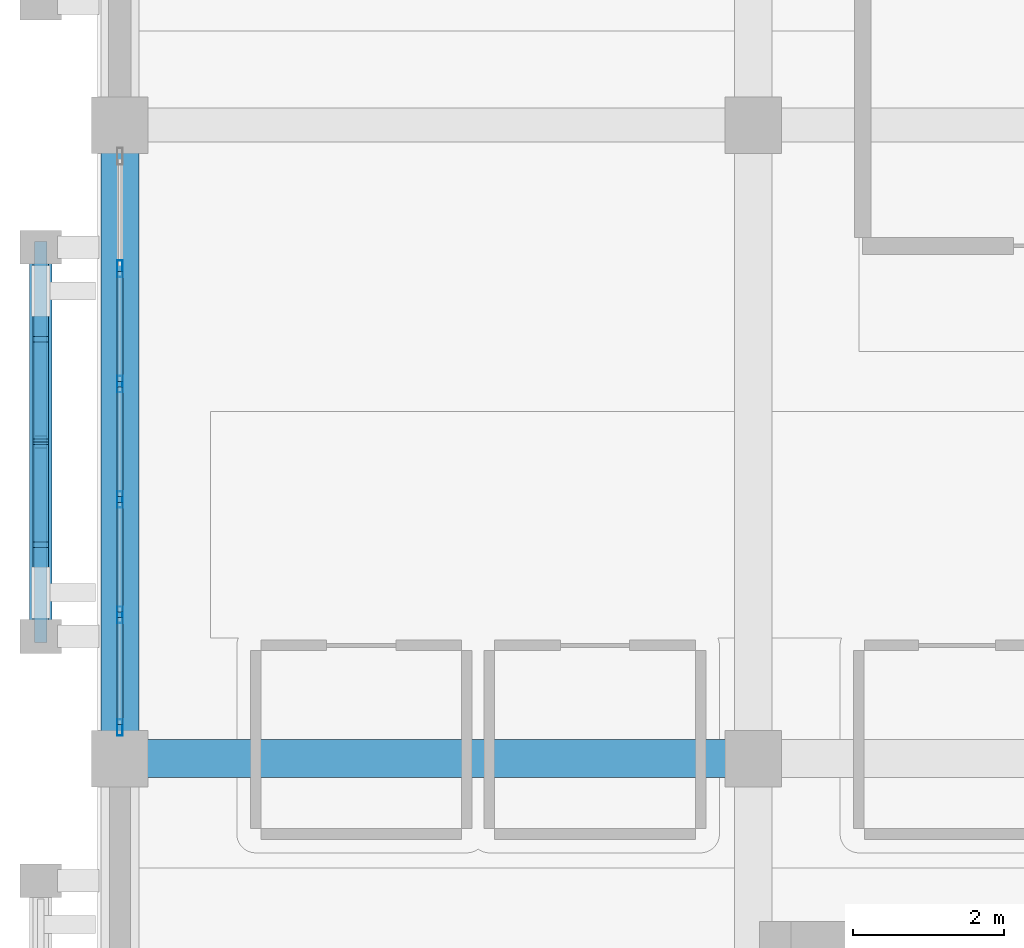
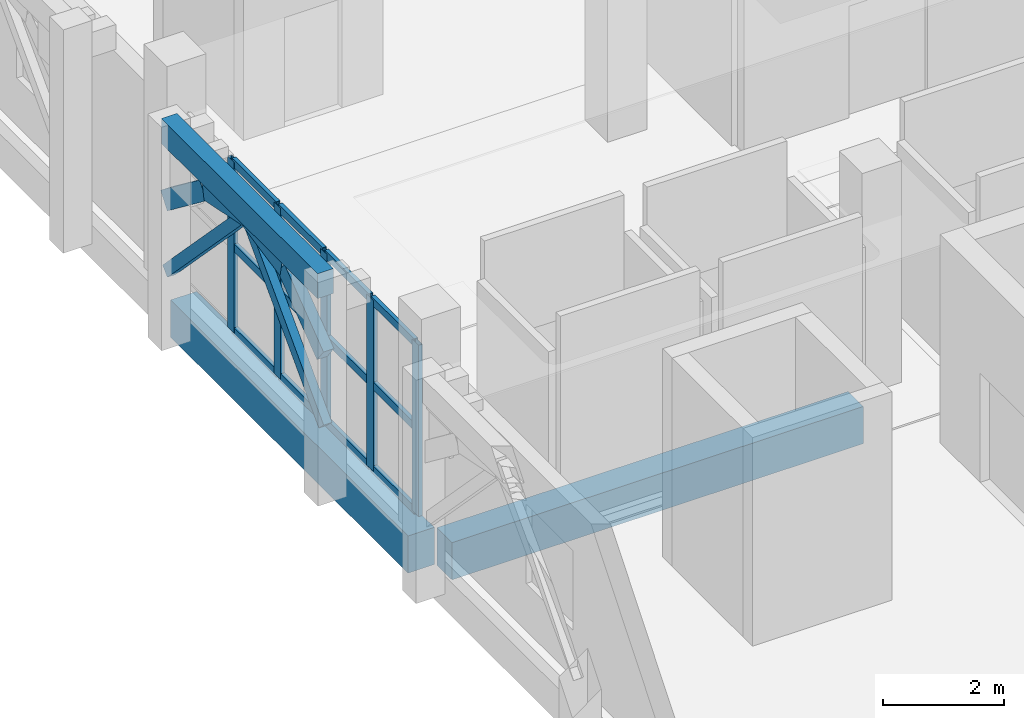
# One storey, part 7 of 34: 23 members, 3 beams, 1 element without a shape of its own.
"""IFC4 building model written with IfcOpenShell, lengths in metres."""

from ifc_helpers import new_model, si_unit, direction, frame, origin, origin_2d, place, context, subcontext, project, spatial, rectangle, hollow_rectangle, extrude, material, layer, layer_set, material_profile, profile_set, type_object, element, aggregate, save


model = new_model("IFC4")

# Units and contexts
model_context = context("Model", 3, precision=1e-05, world=origin(), true_north=direction((0.0, 1.0)))
body_context = subcontext(model_context, "Body", "Model", "MODEL_VIEW")
ifc_project = project(units=[si_unit("LENGTHUNIT", "METRE"), si_unit("AREAUNIT", "SQUARE_METRE"), si_unit("VOLUMEUNIT", "CUBIC_METRE"), si_unit("PLANEANGLEUNIT", "RADIAN"), si_unit("MASSUNIT", "GRAM", prefix="KILO")], contexts=[model_context])

# Site, building, storey
site_placement = place(None, origin())
site = spatial("IfcSite", under=ifc_project, at=site_placement, CompositionType="ELEMENT")
building_placement = place(site_placement, origin())
building = spatial("IfcBuilding", under=site, at=building_placement, Name="Xazarin Passage Department Store", CompositionType="ELEMENT")
storey_placement = place(building_placement, frame((0.0, 0.0, 18.89990234375)))
storey = spatial("IfcBuildingStorey", under=building, at=storey_placement, Name="L04", CompositionType="ELEMENT", Elevation=18.89990234375)

# Curtain wall, members
ifc_material_1 = material(Name="Bronze anodised aluminium", Category="aluminium")
ifc_layer = layer(ifc_material_1, 0.199951171875)
ifc_layer_set = layer_set([ifc_layer], Name="Bronze anodised aluminium")
curtain_wall_type = type_object("IfcCurtainWallType", Name="ARC-CW-VIT2", PredefinedType="NOTDEFINED", material=ifc_layer_set)
curtain_wall_placement = place(storey_placement, origin())
curtain_wall = element("IfcCurtainWall", 1, at=curtain_wall_placement, inside=storey, type_object=curtain_wall_type, Name="L04 V1 Curtain Wall 073", PredefinedType="NOTDEFINED")
ifc_material_profile_1 = material_profile(ifc_material_1, hollow_rectangle(XDim=0.074951171875, YDim=0.219970703125, WallThickness=0.0048828125, at=origin_2d()), Name="ALU 75x220")
ifc_profile_set_1 = profile_set([ifc_material_profile_1], Name="Bronze anodised aluminium")
member_type_1 = type_object("IfcMemberType", Name="ARC-CWM-75x220", PredefinedType="MULLION", material=ifc_profile_set_1)
member_1_placement = place(storey_placement, frame((0.0, 85.21240234375, 0.0), z_axis=(0.0, 0.0, 1.0), x_axis=(-1.0, 0.0, 0.0)))
member_1 = element("IfcMember", 2, at=member_1_placement, type_object=member_type_1, Name="CW2 mullion 1", PredefinedType="MULLION", context=body_context, shape_type="SweptSolid", body=[
    extrude(hollow_rectangle(XDim=0.074951171875, YDim=0.219970703125, WallThickness=0.0048828125, at=origin_2d()), origin(), (0.0, 0.0, 1.0), 3.4501953125),
])
member_2_placement = place(storey_placement, frame((0.0, 86.705078125, 0.0), z_axis=(0.0, 0.0, 1.0), x_axis=(-1.0, 0.0, 0.0)))
member_2 = element("IfcMember", 3, at=member_2_placement, type_object=member_type_1, Name="CW2 mullion 2", PredefinedType="MULLION", context=body_context, shape_type="SweptSolid", body=[
    extrude(hollow_rectangle(XDim=0.074951171875, YDim=0.219970703125, WallThickness=0.0048828125, at=origin_2d()), origin(), (0.0, 0.0, 1.0), 3.4501953125),
])
member_3_placement = place(storey_placement, frame((0.0, 88.235107421875, 0.0), z_axis=(0.0, 0.0, 1.0), x_axis=(-1.0, 0.0, 0.0)))
member_3 = element("IfcMember", 4, at=member_3_placement, type_object=member_type_1, Name="CW2 mullion 3", PredefinedType="MULLION", context=body_context, shape_type="SweptSolid", body=[
    extrude(hollow_rectangle(XDim=0.074951171875, YDim=0.219970703125, WallThickness=0.0048828125, at=origin_2d()), origin(), (0.0, 0.0, 1.0), 3.4501953125),
])
member_4_placement = place(storey_placement, frame((0.0, 89.764892578125, 0.0), z_axis=(0.0, 0.0, 1.0), x_axis=(-1.0, 0.0, 0.0)))
member_4 = element("IfcMember", 5, at=member_4_placement, type_object=member_type_1, Name="CW2 mullion 4", PredefinedType="MULLION", context=body_context, shape_type="SweptSolid", body=[
    extrude(hollow_rectangle(XDim=0.074951171875, YDim=0.219970703125, WallThickness=0.0048828125, at=origin_2d()), origin(), (0.0, 0.0, 1.0), 3.4501953125),
])
member_5_placement = place(storey_placement, frame((0.0, 91.294921875, 0.0), z_axis=(0.0, 0.0, 1.0), x_axis=(-1.0, 0.0, 0.0)))
member_5 = element("IfcMember", 6, at=member_5_placement, type_object=member_type_1, Name="CW2 mullion 5", PredefinedType="MULLION", context=body_context, shape_type="SweptSolid", body=[
    extrude(hollow_rectangle(XDim=0.074951171875, YDim=0.219970703125, WallThickness=0.0048828125, at=origin_2d()), origin(), (0.0, 0.0, 1.0), 3.4501953125),
])
ifc_material_profile_2 = material_profile(ifc_material_1, hollow_rectangle(XDim=0.074951171875, YDim=0.159912109375, WallThickness=0.00439453125, at=origin_2d()), Name="ALU 75x160")
ifc_profile_set_2 = profile_set([ifc_material_profile_2], Name="Bronze anodised aluminium")
member_type_2 = type_object("IfcMemberType", Name="ARC-CWT-75x160", PredefinedType="USERDEFINED", material=ifc_profile_set_2)
member_6_placement = place(storey_placement, frame((0.0, 85.25, 0.03759765625), z_axis=(0.0, 1.0, 0.0), x_axis=(-1.0, 0.0, 0.0)))
member_6 = element("IfcMember", 7, at=member_6_placement, type_object=member_type_2, Name="CW2 transom 1.1", ObjectType="TRANSOM", PredefinedType="USERDEFINED", context=body_context, shape_type="SweptSolid", body=[
    extrude(hollow_rectangle(XDim=0.074951171875, YDim=0.159912109375, WallThickness=0.00439453125, at=origin_2d()), origin(), (0.0, 0.0, 1.0), 1.41748046875),
])
member_7_placement = place(storey_placement, frame((0.0, 85.25, 1.72509765625), z_axis=(0.0, 1.0, 0.0), x_axis=(-1.0, 0.0, 0.0)))
member_7 = element("IfcMember", 8, at=member_7_placement, type_object=member_type_2, Name="CW2 transom 1.2", ObjectType="TRANSOM", PredefinedType="USERDEFINED", context=body_context, shape_type="SweptSolid", body=[
    extrude(hollow_rectangle(XDim=0.074951171875, YDim=0.159912109375, WallThickness=0.00439453125, at=origin_2d()), origin(), (0.0, 0.0, 1.0), 1.41748046875),
])
member_8_placement = place(storey_placement, frame((0.0, 85.25, 3.41259765625), z_axis=(0.0, 1.0, 0.0), x_axis=(-1.0, 0.0, 0.0)))
member_8 = element("IfcMember", 9, at=member_8_placement, type_object=member_type_2, Name="CW2 transom 1.3", ObjectType="TRANSOM", PredefinedType="USERDEFINED", context=body_context, shape_type="SweptSolid", body=[
    extrude(hollow_rectangle(XDim=0.074951171875, YDim=0.159912109375, WallThickness=0.00439453125, at=origin_2d()), origin(), (0.0, 0.0, 1.0), 1.41748046875),
])
member_9_placement = place(storey_placement, frame((0.0, 86.742431640625, 0.03759765625), z_axis=(0.0, 1.0, 0.0), x_axis=(-1.0, 0.0, 0.0)))
member_9 = element("IfcMember", 10, at=member_9_placement, type_object=member_type_2, Name="CW2 transom 2.1", ObjectType="TRANSOM", PredefinedType="USERDEFINED", context=body_context, shape_type="SweptSolid", body=[
    extrude(hollow_rectangle(XDim=0.074951171875, YDim=0.159912109375, WallThickness=0.00439453125, at=origin_2d()), origin(), (0.0, 0.0, 1.0), 1.455078125),
])
member_10_placement = place(storey_placement, frame((0.0, 86.742431640625, 1.72509765625), z_axis=(0.0, 1.0, 0.0), x_axis=(-1.0, 0.0, 0.0)))
member_10 = element("IfcMember", 11, at=member_10_placement, type_object=member_type_2, Name="CW2 transom 2.2", ObjectType="TRANSOM", PredefinedType="USERDEFINED", context=body_context, shape_type="SweptSolid", body=[
    extrude(hollow_rectangle(XDim=0.074951171875, YDim=0.159912109375, WallThickness=0.00439453125, at=origin_2d()), origin(), (0.0, 0.0, 1.0), 1.455078125),
])
member_11_placement = place(storey_placement, frame((0.0, 86.742431640625, 3.41259765625), z_axis=(0.0, 1.0, 0.0), x_axis=(-1.0, 0.0, 0.0)))
member_11 = element("IfcMember", 12, at=member_11_placement, type_object=member_type_2, Name="CW2 transom 2.3", ObjectType="TRANSOM", PredefinedType="USERDEFINED", context=body_context, shape_type="SweptSolid", body=[
    extrude(hollow_rectangle(XDim=0.074951171875, YDim=0.159912109375, WallThickness=0.00439453125, at=origin_2d()), origin(), (0.0, 0.0, 1.0), 1.455078125),
])
member_12_placement = place(storey_placement, frame((0.0, 88.2724609375, 0.03759765625), z_axis=(0.0, 1.0, 0.0), x_axis=(-1.0, 0.0, 0.0)))
member_12 = element("IfcMember", 13, at=member_12_placement, type_object=member_type_2, Name="CW2 transom 3.1", ObjectType="TRANSOM", PredefinedType="USERDEFINED", context=body_context, shape_type="SweptSolid", body=[
    extrude(hollow_rectangle(XDim=0.074951171875, YDim=0.159912109375, WallThickness=0.00439453125, at=origin_2d()), origin(), (0.0, 0.0, 1.0), 1.455078125),
])
member_13_placement = place(storey_placement, frame((0.0, 88.2724609375, 1.72509765625), z_axis=(0.0, 1.0, 0.0), x_axis=(-1.0, 0.0, 0.0)))
member_13 = element("IfcMember", 14, at=member_13_placement, type_object=member_type_2, Name="CW2 transom 3.2", ObjectType="TRANSOM", PredefinedType="USERDEFINED", context=body_context, shape_type="SweptSolid", body=[
    extrude(hollow_rectangle(XDim=0.074951171875, YDim=0.159912109375, WallThickness=0.00439453125, at=origin_2d()), origin(), (0.0, 0.0, 1.0), 1.455078125),
])
member_14_placement = place(storey_placement, frame((0.0, 88.2724609375, 3.41259765625), z_axis=(0.0, 1.0, 0.0), x_axis=(-1.0, 0.0, 0.0)))
member_14 = element("IfcMember", 15, at=member_14_placement, type_object=member_type_2, Name="CW2 transom 3.3", ObjectType="TRANSOM", PredefinedType="USERDEFINED", context=body_context, shape_type="SweptSolid", body=[
    extrude(hollow_rectangle(XDim=0.074951171875, YDim=0.159912109375, WallThickness=0.00439453125, at=origin_2d()), origin(), (0.0, 0.0, 1.0), 1.455078125),
])
member_15_placement = place(storey_placement, frame((0.0, 89.802490234375, 0.03759765625), z_axis=(0.0, 1.0, 0.0), x_axis=(-1.0, 0.0, 0.0)))
member_15 = element("IfcMember", 16, at=member_15_placement, type_object=member_type_2, Name="CW2 transom 4.1", ObjectType="TRANSOM", PredefinedType="USERDEFINED", context=body_context, shape_type="SweptSolid", body=[
    extrude(hollow_rectangle(XDim=0.074951171875, YDim=0.159912109375, WallThickness=0.00439453125, at=origin_2d()), origin(), (0.0, 0.0, 1.0), 1.455078125),
])
member_16_placement = place(storey_placement, frame((0.0, 89.802490234375, 1.72509765625), z_axis=(0.0, 1.0, 0.0), x_axis=(-1.0, 0.0, 0.0)))
member_16 = element("IfcMember", 17, at=member_16_placement, type_object=member_type_2, Name="CW2 transom 4.2", ObjectType="TRANSOM", PredefinedType="USERDEFINED", context=body_context, shape_type="SweptSolid", body=[
    extrude(hollow_rectangle(XDim=0.074951171875, YDim=0.159912109375, WallThickness=0.00439453125, at=origin_2d()), origin(), (0.0, 0.0, 1.0), 1.455078125),
])
member_17_placement = place(storey_placement, frame((0.0, 89.802490234375, 3.41259765625), z_axis=(0.0, 1.0, 0.0), x_axis=(-1.0, 0.0, 0.0)))
member_17 = element("IfcMember", 18, at=member_17_placement, type_object=member_type_2, Name="CW2 transom 4.3", ObjectType="TRANSOM", PredefinedType="USERDEFINED", context=body_context, shape_type="SweptSolid", body=[
    extrude(hollow_rectangle(XDim=0.074951171875, YDim=0.159912109375, WallThickness=0.00439453125, at=origin_2d()), origin(), (0.0, 0.0, 1.0), 1.455078125),
])
aggregate(curtain_wall, [member_1, member_2, member_3, member_4, member_5, member_6, member_7, member_8, member_9, member_10, member_11, member_12, member_13, member_14, member_15, member_16, member_17])

# Beams
ifc_material_2 = material(Name="Concrete C35/45", Category="concrete")
ifc_material_profile_3 = material_profile(ifc_material_2, rectangle(XDim=0.300048828125, YDim=0.5, at=origin_2d()), Name="RC 300x500")
ifc_profile_set_3 = profile_set([ifc_material_profile_3], Name="Concrete C35/45")
beam_type_1 = type_object("IfcBeamType", Name="STR-BM-LN300x500", PredefinedType="LINTEL", material=ifc_profile_set_3)
beam_1_placement = place(storey_placement, frame((-1.050048828125, 86.419921875, 4.25), z_axis=(0.0, 1.0, 0.0), x_axis=(-1.0, 0.0, 0.0)))
element("IfcBeam", 19, at=beam_1_placement, inside=storey, type_object=beam_type_1, Name="L04 V1 Colonnade Spandrel Beam 012", PredefinedType="LINTEL", context=body_context, shape_type="SweptSolid", body=[
    extrude(rectangle(XDim=0.300048828125, YDim=0.5, at=origin_2d()), origin(), (0.0, 0.0, 1.0), 5.16015625),
])
ifc_material_profile_4 = material_profile(ifc_material_2, rectangle(XDim=0.5, YDim=0.75, at=origin_2d()), Name="RC 500x750")
ifc_profile_set_4 = profile_set([ifc_material_profile_4], Name="Concrete C35/45")
beam_type_2 = type_object("IfcBeamType", Name="STR-BM-SP500x750", PredefinedType="SPANDREL", material=ifc_profile_set_4)
beam_2_placement = place(storey_placement, frame((0.280029296875, 84.800048828125, -0.6748046875), z_axis=(1.0, 0.0, 0.0), x_axis=(0.0, 1.0, 0.0)))
element("IfcBeam", 20, at=beam_2_placement, inside=storey, type_object=beam_type_2, Name="L04 Grid Beam M/1-2", PredefinedType="SPANDREL", context=body_context, shape_type="SweptSolid", body=[
    extrude(rectangle(XDim=0.5, YDim=0.75, at=origin_2d()), origin(), (0.0, 0.0, 1.0), 7.840087890625),
])
beam_3_placement = place(storey_placement, frame((0.0, 85.080078125, -0.6748046875), z_axis=(0.0, 1.0, 0.0), x_axis=(-1.0, 0.0, 0.0)))
element("IfcBeam", 21, at=beam_3_placement, inside=storey, type_object=beam_type_2, Name="L04 Grid Beam 1/M-N", PredefinedType="SPANDREL", context=body_context, shape_type="SweptSolid", body=[
    extrude(rectangle(XDim=0.5, YDim=0.75, at=origin_2d()), origin(), (0.0, 0.0, 1.0), 7.83984375),
])

# Members
ifc_material_3 = material(Name="Concrete C40/50", Category="concrete")
ifc_material_profile_5 = material_profile(ifc_material_3, rectangle(XDim=0.199951171875, YDim=0.360107421875, at=origin_2d()), Name="RC 200x360")
ifc_profile_set_5 = profile_set([ifc_material_profile_5], Name="Concrete C40/50")
member_type_3 = type_object("IfcMemberType", Name="STR-MEM-ARC360", PredefinedType="CHORD", material=ifc_profile_set_5)
member_18_placement = place(storey_placement, frame((-1.050048828125, 86.419921875, 2.830078125), z_axis=(0.0, 0.79440903847, 0.607383140692), x_axis=(-1.0, 0.0, 0.0)))
element("IfcMember", 22, at=member_18_placement, inside=storey, type_object=member_type_3, Name="L04 V1 Pierced Lattice Curved Arch 012.1", PredefinedType="CHORD", context=body_context, shape_type="SweptSolid", body=[
    extrude(rectangle(XDim=0.199951171875, YDim=0.360107421875, at=origin_2d()), origin(), (0.0, 0.0, 1.0), 1.623779296875),
])
for number, where, z_axis, x_axis, name in (
    (23, (-1.050048828125, 87.7099609375, 3.81640625), (0.0, 0.979744705887, 0.200250621188), (-1.0, 0.0, 0.0), "L04 V1 Pierced Lattice Curved Arch 012.2"),
    (24, (-1.050048828125, 89.0, 4.080078125), (0.0, 0.979744705887, -0.200250621188), (-1.0, 0.0, 0.0), "L04 V1 Pierced Lattice Curved Arch 012.3"),
):
    element("IfcMember", number, at=place(storey_placement, frame(where, z_axis=z_axis, x_axis=x_axis)), inside=storey, type_object=member_type_3, Name=name, PredefinedType="CHORD", context=body_context, shape_type="SweptSolid", body=[
        extrude(rectangle(XDim=0.199951171875, YDim=0.360107421875, at=origin_2d()), origin(), (0.0, 0.0, 1.0), 1.316650390625),
    ])
member_19_placement = place(storey_placement, frame((-1.050048828125, 90.2900390625, 3.81640625), z_axis=(0.0, 0.79440903847, -0.607383140692), x_axis=(-1.0, 0.0, 0.0)))
element("IfcMember", 25, at=member_19_placement, inside=storey, type_object=member_type_3, Name="L04 V1 Pierced Lattice Curved Arch 012.4", PredefinedType="CHORD", context=body_context, shape_type="SweptSolid", body=[
    extrude(rectangle(XDim=0.199951171875, YDim=0.360107421875, at=origin_2d()), origin(), (0.0, 0.0, 1.0), 1.623779296875),
])
ifc_material_profile_6 = material_profile(ifc_material_3, rectangle(XDim=0.159912109375, YDim=0.219970703125, at=origin_2d()), Name="RC 160x220")
ifc_profile_set_6 = profile_set([ifc_material_profile_6], Name="Concrete C40/50")
member_type_4 = type_object("IfcMemberType", Name="STR-MEM-TRC220", PredefinedType="CHORD", material=ifc_profile_set_6)
for number, where, z_axis, x_axis, name in (
    (26, (-1.050048828125, 89.0, 4.080078125), (0.0, -0.693558444435, -0.720400363793), (1.0, 0.0, 0.0), "L04 V1 Upper Lattice Tracery Arch 012L"),
    (27, (-1.050048828125, 89.0, 4.080078125), (0.0, 0.693558444435, -0.720400363793), (-1.0, 0.0, 0.0), "L04 V1 Upper Lattice Tracery Arch 012R"),
):
    element("IfcMember", number, at=place(storey_placement, frame(where, z_axis=z_axis, x_axis=x_axis)), inside=storey, type_object=member_type_4, Name=name, PredefinedType="CHORD", context=body_context, shape_type="SweptSolid", body=[
        extrude(rectangle(XDim=0.159912109375, YDim=0.219970703125, at=origin_2d()), origin(), (0.0, 0.0, 1.0), 3.719970703125),
    ])

save(model, "model.ifc")
